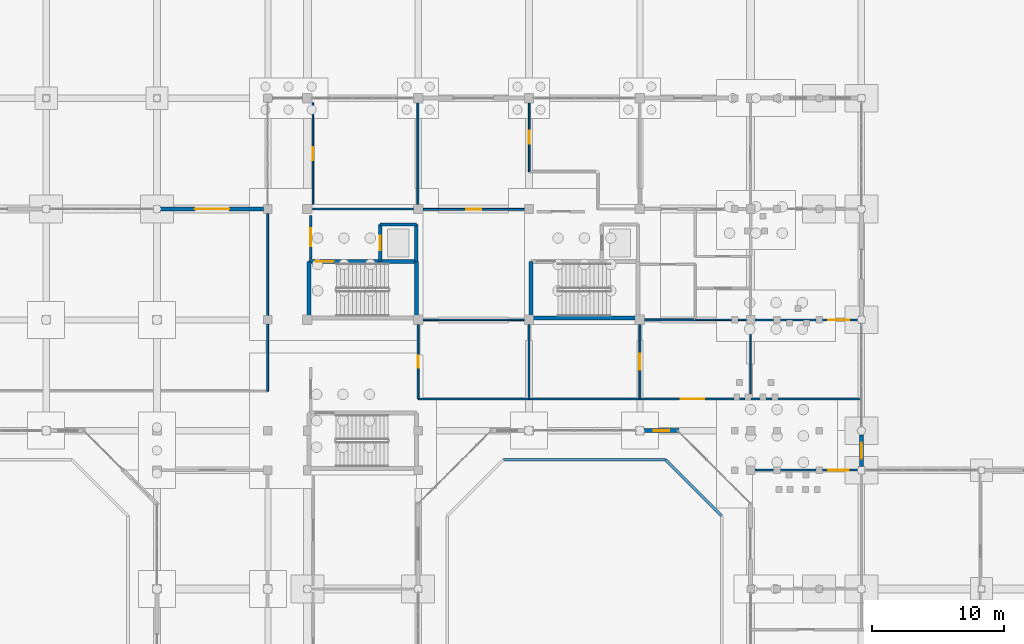
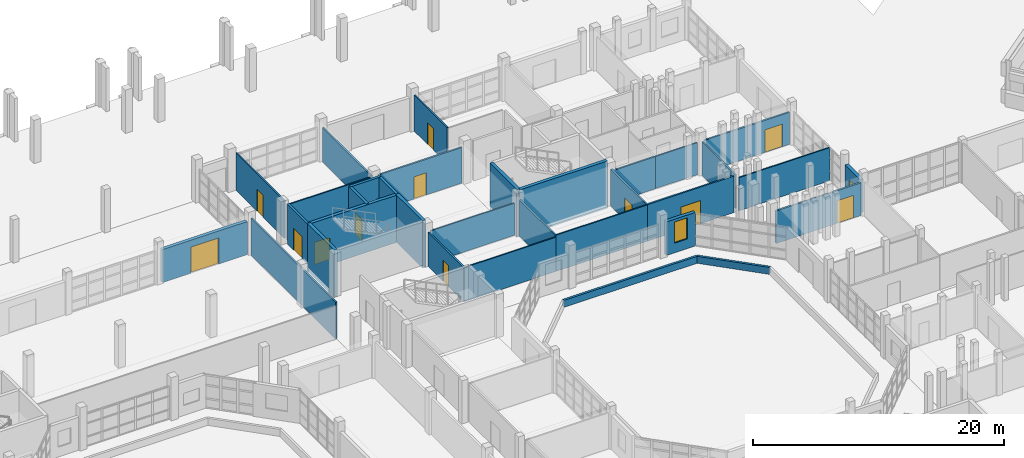
# One storey, part 63 of 88: 33 walls, 12 doors, 2 windows, 14 openings.
"""IFC4 building model written with IfcOpenShell, lengths in metres."""

import ifcopenshell
import ifcopenshell.guid

model = None  # the IFC model being written
_history = None  # IfcOwnerHistory: only IFC2X3 demands one
_inside = {}  # id of a spatial element -> (the spatial element, [elements in it])
_under = {}  # id of a project, library or spatial element -> (it, [spatial elements below it])
_declared = {}  # id of a project -> (the project, [libraries it declares])
_typed = {}  # id of a type object -> (the type object, [elements of that type])
_made_of = {}  # id of a material, layer set ... -> (it, [elements and type objects made of it])


def new_model(schema):
    """Start an empty IFC model of exactly this schema.

    Asked for "IFC4X3", IfcOpenShell would pick the latest addendum, in which some entities
    have other attributes; the version numbers below select the first issue.
    IFC2X3 requires an IfcOwnerHistory on every rooted entity: one is made here for all.
    """
    global model, _history
    if schema == "IFC4X3":
        model = ifcopenshell.file(schema_version=(4, 3, 0, 0))
    else:
        model = ifcopenshell.file(schema=schema)
    _inside.clear()
    _under.clear()
    _declared.clear()
    _typed.clear()
    _made_of.clear()
    _history = None
    if model.schema == "IFC2X3":
        org = make("IfcOrganization", Name="unknown")
        user = make(
            "IfcPersonAndOrganization",
            ThePerson=make("IfcPerson", FamilyName="unknown"),
            TheOrganization=org,
        )
        app = make(
            "IfcApplication",
            ApplicationDeveloper=org,
            Version="unknown",
            ApplicationFullName="unknown",
            ApplicationIdentifier="unknown",
        )
        _history = make(
            "IfcOwnerHistory",
            OwningUser=user,
            OwningApplication=app,
            ChangeAction="ADDED",
            CreationDate=0,
        )
    return model


def make(cls, **values):
    """One entity of the class cls with the attributes given. An attribute that is None is left unset."""
    return model.create_entity(
        cls, **{name: value for name, value in values.items() if value is not None}
    )


def rooted(cls, **values):
    """An entity with a GlobalId (a new one), such as an element, a storey or a relation."""
    return make(cls, GlobalId=ifcopenshell.guid.new(), OwnerHistory=_history, **values)


def si_unit(unit_type, name, prefix=None):
    """IfcSIUnit, for example si_unit("LENGTHUNIT", "METRE", prefix="MILLI")."""
    return make("IfcSIUnit", UnitType=unit_type, Prefix=prefix, Name=name)


def assignment(units):
    """IfcUnitAssignment: the units of a project."""
    return None if units is None else make("IfcUnitAssignment", Units=units)


def point(xyz):
    """IfcCartesianPoint."""
    return None if xyz is None else make("IfcCartesianPoint", Coordinates=xyz)


def direction(xyz):
    """IfcDirection."""
    return None if xyz is None else make("IfcDirection", DirectionRatios=xyz)


def frame(location, z_axis=None, x_axis=None):
    """IfcAxis2Placement3D, a coordinate frame: its origin and axes. An axis left out is left unset."""
    return make(
        "IfcAxis2Placement3D",
        Location=point(location),
        Axis=direction(z_axis),
        RefDirection=direction(x_axis),
    )


def frame_2d(location, x_axis=None):
    """IfcAxis2Placement2D, a coordinate frame in the plane: its origin and x axis."""
    return make(
        "IfcAxis2Placement2D", Location=point(location), RefDirection=direction(x_axis)
    )


def origin():
    """The frame at (0, 0, 0) with its axes left unset."""
    return frame((0.0, 0.0, 0.0))


def place(relative_to, where):
    """IfcLocalPlacement: puts the frame where relative to a parent placement (None: the world)."""
    return make(
        "IfcLocalPlacement", PlacementRelTo=relative_to, RelativePlacement=where
    )


def context(
    kind, dimensions, precision=None, world=None, true_north=None, identifier=None
):
    """IfcGeometricRepresentationContext, for example the 3D "Model" context."""
    return make(
        "IfcGeometricRepresentationContext",
        ContextIdentifier=identifier,
        ContextType=kind,
        CoordinateSpaceDimension=dimensions,
        Precision=precision,
        WorldCoordinateSystem=world,
        TrueNorth=true_north,
    )


def subcontext(parent, identifier, kind, view, scale=None):
    """IfcGeometricRepresentationSubContext, for example "Body" below "Model"."""
    return make(
        "IfcGeometricRepresentationSubContext",
        ContextIdentifier=identifier,
        ContextType=kind,
        ParentContext=parent,
        TargetScale=scale,
        TargetView=view,
    )


def project(units=None, contexts=None):
    """IfcProject with its units and contexts."""
    return rooted(
        "IfcProject",
        Name="project",
        RepresentationContexts=contexts,
        UnitsInContext=assignment(units),
    )


def spatial(cls, under=None, at=None, **own):
    """A site, building, storey or space (cls), placed at a placement, below another one or the project."""
    s = rooted(cls, ObjectPlacement=at, **own)
    if under is not None:
        _under.setdefault(under.id(), (under, []))[1].append(s)
    return s


def profile(cls, at=None, kind="AREA", **sizes):
    """A parametric profile (cls). Its sizes go by their IFC names, for example OverallWidth=200.0."""
    return make(cls, ProfileType=kind, Position=at, **sizes)


def rectangle(**sizes):
    """IfcRectangleProfileDef."""
    return profile("IfcRectangleProfileDef", **sizes)


def extrude(swept, where, along, depth):
    """IfcExtrudedAreaSolid: the profile swept, set in the frame where, extruded along a direction by depth."""
    return make(
        "IfcExtrudedAreaSolid",
        SweptArea=swept,
        Position=where,
        ExtrudedDirection=direction(along),
        Depth=depth,
    )


def shape(context_of_items, identifier, shape_type, items):
    """IfcShapeRepresentation: the items that make up one representation, for example the "Body"."""
    return make(
        "IfcShapeRepresentation",
        ContextOfItems=context_of_items,
        RepresentationIdentifier=identifier,
        RepresentationType=shape_type,
        Items=items,
    )


def material(Name=None, Category=None):
    """IfcMaterial."""
    return make("IfcMaterial", Name=Name, Category=Category)


def layer(
    of_material, thickness, ventilated=None, Name=None, Category=None, Priority=None
):
    """IfcMaterialLayer: one layer of a wall or slab, of a material (None: an air gap)."""
    return make(
        "IfcMaterialLayer",
        Material=of_material,
        LayerThickness=thickness,
        IsVentilated=ventilated,
        Name=Name,
        Category=Category,
        Priority=Priority,
    )


def layer_set(layers, Name=None):
    """IfcMaterialLayerSet."""
    return make("IfcMaterialLayerSet", MaterialLayers=layers, LayerSetName=Name)


def made_of(thing, what):
    """Note that an element or type object is made of a material, layer set ...; save() writes the relation."""
    if what is not None:
        _made_of.setdefault(what.id(), (what, []))[1].append(thing)
    return thing


def type_object(cls, material=None, **own):
    """A type object (cls), such as IfcWallType, which elements share."""
    return made_of(rooted(cls, **own), material)


def element(
    cls,
    number,
    at=None,
    inside=None,
    cuts=None,
    type_object=None,
    material=None,
    context=None,
    identifier="Body",
    shape_type=None,
    held_by="IfcProductDefinitionShape",
    body=None,
    shapes=None,
    **own,
):
    """One element of the class cls, such as IfcWall. Its Tag is "e" and its number.

    at: its placement. inside: the storey or other place that contains it. cuts: it is an
    opening in that element (IfcRelVoidsElement). A single representation is given by context,
    identifier, shape_type and body (its items); several are given by shapes. held_by: the class
    of the entity that holds the representations. save() writes the other relations.
    """
    e = rooted(cls, Tag="e%d" % number, ObjectPlacement=at, **own)
    if body is not None:
        shapes = [shape(context, identifier, shape_type, body)]
    if shapes is not None:
        e.Representation = make(held_by, Representations=shapes)
    if inside is not None:
        _inside.setdefault(inside.id(), (inside, []))[1].append(e)
    if cuts is not None:
        rooted(
            "IfcRelVoidsElement", RelatingBuildingElement=cuts, RelatedOpeningElement=e
        )
    if type_object is not None:
        _typed.setdefault(type_object.id(), (type_object, []))[1].append(e)
    return made_of(e, material)


def fill(opening, filler):
    """IfcRelFillsElement: the door or window that sits in an opening."""
    return rooted(
        "IfcRelFillsElement",
        RelatingOpeningElement=opening,
        RelatedBuildingElement=filler,
    )


def aggregate(whole, parts):
    """IfcRelAggregates: a whole, such as a stair, and the parts it consists of."""
    return rooted("IfcRelAggregates", RelatingObject=whole, RelatedObjects=parts)


def save(model, path):
    """Write the relations noted so far, then the file.

    IfcRelAggregates (storeys below a building ...), IfcRelContainedInSpatialStructure (elements
    in a storey), IfcRelDefinesByType, IfcRelAssociatesMaterial and IfcRelDeclares: one each for
    every whole, place, type object, material and project.
    """
    for whole, parts in _under.values():
        aggregate(whole, parts)
    for where, things in _inside.values():
        rooted(
            "IfcRelContainedInSpatialStructure",
            RelatedElements=things,
            RelatingStructure=where,
        )
    for kind, things in _typed.values():
        rooted("IfcRelDefinesByType", RelatedObjects=things, RelatingType=kind)
    for what, things in _made_of.values():
        rooted("IfcRelAssociatesMaterial", RelatedObjects=things, RelatingMaterial=what)
    for by, libraries in _declared.values():
        rooted("IfcRelDeclares", RelatingContext=by, RelatedDefinitions=libraries)
    model.write(path)


model = new_model("IFC4")

# Units and contexts
model_context = context("Model", 3, precision=1e-05, world=origin(), true_north=direction((0.0, 1.0)))
body_context = subcontext(model_context, "Body", "Model", "MODEL_VIEW")
ifc_project = project(units=[si_unit("LENGTHUNIT", "METRE"), si_unit("AREAUNIT", "SQUARE_METRE"), si_unit("VOLUMEUNIT", "CUBIC_METRE"), si_unit("PLANEANGLEUNIT", "RADIAN"), si_unit("MASSUNIT", "GRAM", prefix="KILO")], contexts=[model_context])

# Site, building, storey
site_placement = place(None, origin())
site = spatial("IfcSite", under=ifc_project, at=site_placement, CompositionType="ELEMENT")
building_placement = place(site_placement, origin())
building = spatial("IfcBuilding", under=site, at=building_placement, Name="Vanh Quang Courtyard School", CompositionType="ELEMENT")
storey_placement = place(building_placement, origin())
storey = spatial("IfcBuildingStorey", under=building, at=storey_placement, Name="L00", CompositionType="ELEMENT", Elevation=0.0)

# Wall, opening, door
ifc_material_1 = material(Name="Concrete C30/37", Category="concrete")
ifc_layer_1 = layer(ifc_material_1, 0.199951171875)
ifc_layer_set_1 = layer_set([ifc_layer_1], Name="Concrete C30/37")
wall_type_1 = type_object("IfcWallType", Name="W-COMP-200", PredefinedType="PARTITIONING", material=ifc_layer_set_1)
wall_1_placement = place(storey_placement, frame((77.659912109375, 87.719970703125, 0.0), z_axis=(0.0, 0.0, 1.0), x_axis=(0.0, -1.0, 0.0)))
wall_1 = element("IfcWall", 1, at=wall_1_placement, inside=storey, type_object=wall_type_1, Name="Wall W-COMP1 (L00)", PredefinedType="PARTITIONING", context=body_context, shape_type="SweptSolid", body=[
    extrude(rectangle(XDim=3.300048828125, YDim=0.199951171875, at=frame_2d((1.64990234375, 0.0))), origin(), (0.0, 0.0, 1.0), 3.919921875),
])
opening_1_placement = place(wall_1_placement, frame((0.97509765625, 0.0, 0.0)))
opening_1 = element("IfcOpeningElement", 2, at=opening_1_placement, cuts=wall_1, Name="Opening L00-DLB1", PredefinedType="OPENING", context=body_context, shape_type="SweptSolid", body=[
    extrude(rectangle(XDim=1.35009765625, YDim=2.14990234375, at=frame_2d((0.675048828125, 1.074951171875))), frame((0.0, 0.10986328125, 0.0), z_axis=(0.0, -1.0, 0.0), x_axis=(1.0, 0.0, 0.0)), (0.0, 0.0, 1.0), 0.219970703125),
])
ifc_material_2 = material(Name="Painted galvanised steel fire door", Category="steel")
door_type_1 = type_object("IfcDoorType", Name="IDR-ST-1350x2150", OperationType="NOTDEFINED", PredefinedType="DOOR", material=ifc_material_2)
door_1_placement = place(opening_1_placement, origin())
door_1 = element("IfcDoor", 3, at=door_1_placement, inside=storey, type_object=door_type_1, Name="Door L00-DLB1 (L00)", OperationType="SINGLE_SWING_LEFT", OverallHeight=2.14990234375, OverallWidth=1.35009765625, PredefinedType="DOOR", context=body_context, shape_type="SweptSolid", body=[
    extrude(rectangle(XDim=1.35009765625, YDim=2.14990234375, at=frame_2d((0.675048828125, 1.074951171875))), frame((0.0, 0.02490234375, 0.0), z_axis=(0.0, -1.0, 0.0), x_axis=(1.0, 0.0, 0.0)), (0.0, 0.0, 1.0), 0.050048828125),
])
fill(opening_1, door_1)

# Wall
ifc_material_3 = material(Name="Concrete C35/45", Category="concrete")
ifc_layer_2 = layer(ifc_material_3, 0.300048828125)
ifc_layer_set_2 = layer_set([ifc_layer_2], Name="Concrete C35/45")
wall_type_2 = type_object("IfcWallType", Name="W-CORE-300", PredefinedType="SHEAR", material=ifc_layer_set_2)
wall_2_placement = place(storey_placement, frame((85.659912109375, 79.93994140625, -0.39990234375), z_axis=(0.0, 0.0, 1.0), x_axis=(0.0, 1.0, 0.0)))
element("IfcWall", 4, at=wall_2_placement, inside=storey, type_object=wall_type_2, Name="Wall W-CORE1 (L00)", PredefinedType="SHEAR", context=body_context, shape_type="SweptSolid", body=[
    extrude(rectangle(XDim=4.280029296875, YDim=0.300048828125, at=frame_2d((2.14013671875, 0.0))), origin(), (0.0, 0.0, 1.0), 4.599853515625),
])

# Wall, opening, door
wall_3_placement = place(storey_placement, frame((85.659912109375, 84.219970703125, -0.39990234375), z_axis=(0.0, 0.0, 1.0), x_axis=(-1.0, 0.0, 0.0)))
wall_3 = element("IfcWall", 5, at=wall_3_placement, inside=storey, type_object=wall_type_2, Name="Wall W-CORE1 (L00)", PredefinedType="SHEAR", context=body_context, shape_type="SweptSolid", body=[
    extrude(rectangle(XDim=8.119873046875, YDim=0.300048828125, at=frame_2d((4.06005859375, 0.0))), origin(), (0.0, 0.0, 1.0), 4.599853515625),
])
opening_2_placement = place(wall_3_placement, frame((6.27001953125, 0.0, 0.39990234375)))
opening_2 = element("IfcOpeningElement", 6, at=opening_2_placement, cuts=wall_3, Name="Opening L00-DS1", PredefinedType="OPENING", context=body_context, shape_type="SweptSolid", body=[
    extrude(rectangle(XDim=1.35009765625, YDim=2.14990234375, at=frame_2d((0.675048828125, 1.074951171875))), frame((0.0, 0.16015625, 0.0), z_axis=(0.0, -1.0, 0.0), x_axis=(1.0, 0.0, 0.0)), (0.0, 0.0, 1.0), 0.320068359375),
])
door_2_placement = place(opening_2_placement, origin())
door_2 = element("IfcDoor", 7, at=door_2_placement, inside=storey, type_object=door_type_1, Name="Door L00-DS1 (L00)", OperationType="SINGLE_SWING_RIGHT", OverallHeight=2.14990234375, OverallWidth=1.35009765625, PredefinedType="DOOR", context=body_context, shape_type="SweptSolid", body=[
    extrude(rectangle(XDim=1.35009765625, YDim=2.14990234375, at=frame_2d((0.675048828125, 1.074951171875))), frame((0.0, 0.02490234375, 0.0), z_axis=(0.0, -1.0, 0.0), x_axis=(1.0, 0.0, 0.0)), (0.0, 0.0, 1.0), 0.050048828125),
])
fill(opening_2, door_2)

# Walls
wall_4_placement = place(storey_placement, frame((77.5400390625, 84.219970703125, -0.39990234375), z_axis=(0.0, 0.0, 1.0), x_axis=(0.0, -1.0, 0.0)))
element("IfcWall", 8, at=wall_4_placement, inside=storey, type_object=wall_type_2, Name="Wall W-CORE1 (L00)", PredefinedType="SHEAR", context=body_context, shape_type="SweptSolid", body=[
    extrude(rectangle(XDim=4.280029296875, YDim=0.300048828125, at=frame_2d((2.14013671875, 0.0))), origin(), (0.0, 0.0, 1.0), 4.599853515625),
])
wall_5_placement = place(storey_placement, frame((94.340087890625, 79.93994140625, -0.39990234375), z_axis=(0.0, 0.0, 1.0), x_axis=(1.0, 0.0, 0.0)))
element("IfcWall", 9, at=wall_5_placement, inside=storey, type_object=wall_type_2, Name="Wall W-CORE1 (L00)", PredefinedType="SHEAR", context=body_context, shape_type="SweptSolid", body=[
    extrude(rectangle(XDim=8.119873046875, YDim=0.300048828125, at=frame_2d((4.06005859375, 0.0))), origin(), (0.0, 0.0, 1.0), 4.599853515625),
])
wall_6_placement = place(storey_placement, frame((94.340087890625, 84.219970703125, -0.39990234375), z_axis=(0.0, 0.0, 1.0), x_axis=(0.0, -1.0, 0.0)))
element("IfcWall", 10, at=wall_6_placement, inside=storey, type_object=wall_type_2, Name="Wall W-CORE1 (L00)", PredefinedType="SHEAR", context=body_context, shape_type="SweptSolid", body=[
    extrude(rectangle(XDim=4.280029296875, YDim=0.300048828125, at=frame_2d((2.14013671875, 0.0))), origin(), (0.0, 0.0, 1.0), 4.599853515625),
])

# Wall, opening, door
ifc_layer_3 = layer(ifc_material_3, 0.300048828125)
ifc_layer_set_3 = layer_set([ifc_layer_3], Name="Concrete C35/45")
wall_type_3 = type_object("IfcWallType", Name="W-EXT-300", PredefinedType="SOLIDWALL", material=ifc_layer_set_3)
wall_7_placement = place(storey_placement, frame((66.27294921875, 88.199951171875, 0.0), z_axis=(0.0, 0.0, 1.0), x_axis=(1.0, 0.0, 0.0)))
wall_7 = element("IfcWall", 11, at=wall_7_placement, inside=storey, type_object=wall_type_3, Name="Wall WE-01 (L00)", PredefinedType="SOLIDWALL", context=body_context, shape_type="SweptSolid", body=[
    extrude(rectangle(XDim=7.803955078125, YDim=0.300048828125, at=frame_2d((3.90185546875, 0.0))), origin(), (0.0, 0.0, 1.0), 3.219970703125),
])
opening_3_placement = place(wall_7_placement, frame((2.60205078125, 0.0, 0.0)))
opening_3 = element("IfcOpeningElement", 12, at=opening_3_placement, cuts=wall_7, Name="Opening L00-EX19", PredefinedType="OPENING", context=body_context, shape_type="SweptSolid", body=[
    extrude(rectangle(XDim=2.60009765625, YDim=2.550048828125, at=frame_2d((1.300048828125, 1.27490234375))), frame((0.0, 0.16015625, 0.0), z_axis=(0.0, -1.0, 0.0), x_axis=(1.0, 0.0, 0.0)), (0.0, 0.0, 1.0), 0.320068359375),
])
ifc_material_4 = material(Name="Thermally broken aluminium and laminated safety glass", Category="aluminium")
door_type_2 = type_object("IfcDoorType", Name="EDR-TYP-16", OperationType="NOTDEFINED", PredefinedType="DOOR", material=ifc_material_4)
door_3_placement = place(opening_3_placement, origin())
door_3 = element("IfcDoor", 13, at=door_3_placement, inside=storey, type_object=door_type_2, Name="Door L00-EX19 (L00)", OperationType="DOUBLE_DOOR_SINGLE_SWING", OverallHeight=2.550048828125, OverallWidth=2.60009765625, PredefinedType="DOOR", context=body_context, shape_type="SweptSolid", body=[
    extrude(rectangle(XDim=2.60009765625, YDim=2.550048828125, at=frame_2d((1.300048828125, 1.27490234375))), frame((0.0, 0.02490234375, 0.0), z_axis=(0.0, -1.0, 0.0), x_axis=(1.0, 0.0, 0.0)), (0.0, 0.0, 1.0), 0.050048828125),
])
fill(opening_3, door_3)

# Wall, opening, window
wall_8_placement = place(storey_placement, frame((119.39990234375, 71.076904296875, 0.0), z_axis=(0.0, 0.0, 1.0), x_axis=(0.0, -1.0, 0.0)))
wall_8 = element("IfcWall", 14, at=wall_8_placement, inside=storey, type_object=wall_type_3, Name="Wall WE-01 (L00)", PredefinedType="SOLIDWALL", context=body_context, shape_type="SweptSolid", body=[
    extrude(rectangle(XDim=2.40380859375, YDim=0.300048828125, at=frame_2d((1.201904296875, 0.0))), origin(), (0.0, 0.0, 1.0), 3.219970703125),
])
opening_4_placement = place(wall_8_placement, frame((0.60205078125, 0.0, 0.949951171875)))
opening_4 = element("IfcOpeningElement", 15, at=opening_4_placement, cuts=wall_8, Name="Opening WN-01", PredefinedType="OPENING", context=body_context, shape_type="SweptSolid", body=[
    extrude(rectangle(XDim=1.199951171875, YDim=1.199951171875, at=frame_2d((0.60009765625, 0.60009765625))), frame((0.0, 0.16015625, 0.0), z_axis=(0.0, -1.0, 0.0), x_axis=(1.0, 0.0, 0.0)), (0.0, 0.0, 1.0), 0.320068359375),
])
ifc_material_5 = material(Name="Anodised aluminium and low-E double glazing", Category="aluminium")
window_type_1 = type_object("IfcWindowType", Name="WIN-TYP-01", PartitioningType="SINGLE_PANEL", PredefinedType="WINDOW", material=ifc_material_5)
window_1_placement = place(opening_4_placement, origin())
window_1 = element("IfcWindow", 16, at=window_1_placement, inside=storey, type_object=window_type_1, Name="Window WN-01 (L00)", OverallHeight=1.199951171875, OverallWidth=1.199951171875, PartitioningType="SINGLE_PANEL", PredefinedType="WINDOW", context=body_context, shape_type="SweptSolid", body=[
    extrude(rectangle(XDim=1.199951171875, YDim=1.199951171875, at=frame_2d((0.60009765625, 0.60009765625))), frame((0.0, 0.030029296875, 0.0), z_axis=(0.0, -1.0, 0.0), x_axis=(1.0, 0.0, 0.0)), (0.0, 0.0, 1.0), 0.06005859375),
])
fill(opening_4, window_1)

wall_9_placement = place(storey_placement, frame((105.575927734375, 71.39990234375, 0.0), z_axis=(0.0, 0.0, 1.0), x_axis=(-1.0, 0.0, 0.0)))
wall_9 = element("IfcWall", 17, at=wall_9_placement, inside=storey, type_object=wall_type_3, Name="Wall WE-01 (L00)", PredefinedType="SOLIDWALL", context=body_context, shape_type="SweptSolid", body=[
    extrude(rectangle(XDim=2.65283203125, YDim=0.300048828125, at=frame_2d((1.326416015625, 0.0))), origin(), (0.0, 0.0, 1.0), 3.27001953125),
])
opening_5_placement = place(wall_9_placement, frame((0.7265625, 0.0, 0.949951171875)))
opening_5 = element("IfcOpeningElement", 18, at=opening_5_placement, cuts=wall_9, Name="Opening WN-28", PredefinedType="OPENING", context=body_context, shape_type="SweptSolid", body=[
    extrude(rectangle(XDim=1.199951171875, YDim=2.050048828125, at=frame_2d((0.60009765625, 1.02490234375))), frame((0.0, 0.16015625, 0.0), z_axis=(0.0, -1.0, 0.0), x_axis=(1.0, 0.0, 0.0)), (0.0, 0.0, 1.0), 0.320068359375),
])
window_type_2 = type_object("IfcWindowType", Name="WIN-TYP-28", PartitioningType="SINGLE_PANEL", PredefinedType="WINDOW", material=ifc_material_5)
window_2_placement = place(opening_5_placement, origin())
window_2 = element("IfcWindow", 19, at=window_2_placement, inside=storey, type_object=window_type_2, Name="Window WN-28 (L00)", OverallHeight=2.050048828125, OverallWidth=1.199951171875, PartitioningType="SINGLE_PANEL", PredefinedType="WINDOW", context=body_context, shape_type="SweptSolid", body=[
    extrude(rectangle(XDim=1.199951171875, YDim=2.050048828125, at=frame_2d((0.60009765625, 1.02490234375))), frame((0.0, 0.030029296875, 0.0), z_axis=(0.0, -1.0, 0.0), x_axis=(1.0, 0.0, 0.0)), (0.0, 0.0, 1.0), 0.06005859375),
])
fill(opening_5, window_2)

# Walls
ifc_layer_4 = layer(ifc_material_3, 0.199951171875)
ifc_layer_set_4 = layer_set([ifc_layer_4], Name="Concrete C35/45")
wall_type_4 = type_object("IfcWallType", Name="W-PAR-200", PredefinedType="PARAPET", material=ifc_layer_set_4)
wall_10_placement = place(storey_placement, frame((92.25537109375, 69.199951171875, 0.0), z_axis=(0.0, 0.0, 1.0), x_axis=(1.0, 0.0, 0.0)))
element("IfcWall", 20, at=wall_10_placement, inside=storey, type_object=wall_type_4, Name="Wall WP-01 (L00)", PredefinedType="PARAPET", context=body_context, shape_type="SweptSolid", body=[
    extrude(rectangle(XDim=12.289306640625, YDim=0.199951171875, at=frame_2d((6.14453125, 0.0))), origin(), (0.0, 0.0, 1.0), 0.679931640625),
])
wall_11_placement = place(storey_placement, frame((104.544677734375, 69.199951171875, 0.0), z_axis=(0.0, 0.0, 1.0), x_axis=(0.707106781187, -0.707106781187, 0.0)))
element("IfcWall", 21, at=wall_11_placement, inside=storey, type_object=wall_type_4, Name="Wall WP-01 (L00)", PredefinedType="PARAPET", context=body_context, shape_type="SweptSolid", body=[
    extrude(rectangle(XDim=6.01806640625, YDim=0.199951171875, at=frame_2d((3.009033203125, 0.0))), origin(), (0.0, 0.0, 1.0), 0.679931640625),
])
ifc_material_6 = material(Name="Acoustic gypsum stud partition", Category="gypsum")
ifc_layer_5 = layer(ifc_material_6, 0.1201171875)
ifc_layer_set_5 = layer_set([ifc_layer_5], Name="Acoustic gypsum stud partition")
wall_type_5 = type_object("IfcWallType", Name="W-PART-120", PredefinedType="PARTITIONING", material=ifc_layer_set_5)
wall_12_placement = place(storey_placement, frame((110.677001953125, 79.800048828125, 0.0), z_axis=(0.0, 0.0, 1.0), x_axis=(-1.0, 0.0, 0.0)))
element("IfcWall", 22, at=wall_12_placement, inside=storey, type_object=wall_type_5, Name="Wall W-PRT2 (L00)", PredefinedType="PARTITIONING", context=body_context, shape_type="SweptSolid", body=[
    extrude(rectangle(XDim=3.85693359375, YDim=0.1201171875, at=frame_2d((1.928466796875, 0.0))), origin(), (0.0, 0.0, 1.0), 3.1201171875),
])

# Wall, opening, door
wall_13_placement = place(storey_placement, frame((77.820068359375, 88.548095703125, 0.0), z_axis=(0.0, 0.0, 1.0), x_axis=(0.0, 1.0, 0.0)))
wall_13 = element("IfcWall", 23, at=wall_13_placement, inside=storey, type_object=wall_type_5, Name="Wall W-PRT2 (L00)", PredefinedType="PARTITIONING", context=body_context, shape_type="SweptSolid", body=[
    extrude(rectangle(XDim=7.703857421875, YDim=0.1201171875, at=frame_2d((3.85205078125, 0.0))), origin(), (0.0, 0.0, 1.0), 3.64990234375),
])
opening_6_placement = place(wall_13_placement, frame((3.362060546875, 0.0, 0.0)))
opening_6 = element("IfcOpeningElement", 24, at=opening_6_placement, cuts=wall_13, Name="Opening L00-D027", PredefinedType="OPENING", context=body_context, shape_type="SweptSolid", body=[
    extrude(rectangle(XDim=0.97998046875, YDim=2.1201171875, at=frame_2d((0.489990234375, 1.06005859375))), frame((0.0, 0.070068359375, 0.0), z_axis=(0.0, -1.0, 0.0), x_axis=(1.0, 0.0, 0.0)), (0.0, 0.0, 1.0), 0.14013671875),
])
ifc_material_7 = material(Name="Solid-core hardwood acoustic door", Category="wood")
door_type_3 = type_object("IfcDoorType", Name="IDR-CLS-1050x2100", OperationType="NOTDEFINED", PredefinedType="DOOR", material=ifc_material_7)
door_4_placement = place(opening_6_placement, origin())
door_4 = element("IfcDoor", 25, at=door_4_placement, inside=storey, type_object=door_type_3, Name="Door L00-D027 (L00)", OperationType="SINGLE_SWING_RIGHT", OverallHeight=2.1201171875, OverallWidth=0.97998046875, PredefinedType="DOOR", context=body_context, shape_type="SweptSolid", body=[
    extrude(rectangle(XDim=0.97998046875, YDim=2.1201171875, at=frame_2d((0.489990234375, 1.06005859375))), frame((0.0, 0.02490234375, 0.0), z_axis=(0.0, -1.0, 0.0), x_axis=(1.0, 0.0, 0.0)), (0.0, 0.0, 1.0), 0.050048828125),
])
fill(opening_6, door_4)

# Walls
wall_14_placement = place(storey_placement, frame((85.451904296875, 88.199951171875, 0.0), z_axis=(0.0, 0.0, 1.0), x_axis=(-1.0, 0.0, 0.0)))
element("IfcWall", 26, at=wall_14_placement, inside=storey, type_object=wall_type_5, Name="Wall W-PRT2 (L00)", PredefinedType="PARTITIONING", context=body_context, shape_type="SweptSolid", body=[
    extrude(rectangle(XDim=7.6318359375, YDim=0.1201171875, at=frame_2d((3.81591796875, 0.0))), origin(), (0.0, 0.0, 1.0), 3.469970703125),
])
wall_15_placement = place(storey_placement, frame((86.14794921875, 79.800048828125, 0.0), z_axis=(0.0, 0.0, 1.0), x_axis=(1.0, 0.0, 0.0)))
element("IfcWall", 27, at=wall_15_placement, inside=storey, type_object=wall_type_5, Name="Wall W-PRT2 (L00)", PredefinedType="PARTITIONING", context=body_context, shape_type="SweptSolid", body=[
    extrude(rectangle(XDim=7.7041015625, YDim=0.1201171875, at=frame_2d((3.85205078125, 0.0))), origin(), (0.0, 0.0, 1.0), 3.1201171875),
])
wall_16_placement = place(storey_placement, frame((94.199951171875, 73.800048828125, 0.0), z_axis=(0.0, 0.0, 1.0), x_axis=(-1.0, 0.0, 0.0)))
element("IfcWall", 28, at=wall_16_placement, inside=storey, type_object=wall_type_5, Name="Wall W-PRT2 (L00)", PredefinedType="PARTITIONING", context=body_context, shape_type="SweptSolid", body=[
    extrude(rectangle(XDim=8.39990234375, YDim=0.1201171875, at=frame_2d((4.199951171875, 0.0))), origin(), (0.0, 0.0, 1.0), 3.320068359375),
])
wall_17_placement = place(storey_placement, frame((102.60009765625, 73.800048828125, 0.0), z_axis=(0.0, 0.0, 1.0), x_axis=(-1.0, 0.0, 0.0)))
element("IfcWall", 29, at=wall_17_placement, inside=storey, type_object=wall_type_5, Name="Wall W-PRT2 (L00)", PredefinedType="PARTITIONING", context=body_context, shape_type="SweptSolid", body=[
    extrude(rectangle(XDim=8.380126953125, YDim=0.1201171875, at=frame_2d((4.18994140625, 0.0))), origin(), (0.0, 0.0, 1.0), 3.52001953125),
])

# Wall, opening, door
wall_18_placement = place(storey_placement, frame((94.219970703125, 91.02001953125, 0.0), z_axis=(0.0, 0.0, 1.0), x_axis=(0.0, 1.0, 0.0)))
wall_18 = element("IfcWall", 30, at=wall_18_placement, inside=storey, type_object=wall_type_5, Name="Wall W-PRT2 (L00)", PredefinedType="PARTITIONING", context=body_context, shape_type="SweptSolid", body=[
    extrude(rectangle(XDim=5.23193359375, YDim=0.1201171875, at=frame_2d((2.615966796875, 0.0))), origin(), (0.0, 0.0, 1.0), 3.52001953125),
])
opening_7_placement = place(wall_18_placement, frame((2.1259765625, 0.0, 0.0)))
opening_7 = element("IfcOpeningElement", 31, at=opening_7_placement, cuts=wall_18, Name="Opening L00-D035", PredefinedType="OPENING", context=body_context, shape_type="SweptSolid", body=[
    extrude(rectangle(XDim=0.97998046875, YDim=2.1201171875, at=frame_2d((0.489990234375, 1.06005859375))), frame((0.0, 0.070068359375, 0.0), z_axis=(0.0, -1.0, 0.0), x_axis=(1.0, 0.0, 0.0)), (0.0, 0.0, 1.0), 0.14013671875),
])
door_5_placement = place(opening_7_placement, origin())
door_5 = element("IfcDoor", 32, at=door_5_placement, inside=storey, type_object=door_type_3, Name="Door L00-D035 (L00)", OperationType="SINGLE_SWING_RIGHT", OverallHeight=2.1201171875, OverallWidth=0.97998046875, PredefinedType="DOOR", context=body_context, shape_type="SweptSolid", body=[
    extrude(rectangle(XDim=0.97998046875, YDim=2.1201171875, at=frame_2d((0.489990234375, 1.06005859375))), frame((0.0, 0.02490234375, 0.0), z_axis=(0.0, -1.0, 0.0), x_axis=(1.0, 0.0, 0.0)), (0.0, 0.0, 1.0), 0.050048828125),
])
fill(opening_7, door_5)

# Walls
wall_19_placement = place(storey_placement, frame((111.0, 79.47705078125, 0.0), z_axis=(0.0, 0.0, 1.0), x_axis=(0.0, -1.0, 0.0)))
element("IfcWall", 33, at=wall_19_placement, inside=storey, type_object=wall_type_5, Name="Wall W-PRT2 (L00)", PredefinedType="PARTITIONING", context=body_context, shape_type="SweptSolid", body=[
    extrude(rectangle(XDim=5.303955078125, YDim=0.1201171875, at=frame_2d((2.65185546875, 0.0))), origin(), (0.0, 0.0, 1.0), 3.27001953125),
])
wall_20_placement = place(storey_placement, frame((119.39990234375, 73.800048828125, 0.0), z_axis=(0.0, 0.0, 1.0), x_axis=(-1.0, 0.0, 0.0)))
element("IfcWall", 34, at=wall_20_placement, inside=storey, type_object=wall_type_5, Name="Wall W-PRT2 (L00)", PredefinedType="PARTITIONING", context=body_context, shape_type="SweptSolid", body=[
    extrude(rectangle(XDim=8.376953125, YDim=0.1201171875, at=frame_2d((4.1884765625, 0.0))), origin(), (0.0, 0.0, 1.0), 3.219970703125),
])
ifc_material_8 = material(Name="Autoclaved aerated masonry blockwork", Category="masonry")
ifc_layer_6 = layer(ifc_material_8, 0.14990234375)
ifc_layer_set_6 = layer_set([ifc_layer_6], Name="Autoclaved aerated masonry blockwork")
wall_type_6 = type_object("IfcWallType", Name="W-PART-150", PredefinedType="PARTITIONING", material=ifc_layer_set_6)
wall_21_placement = place(storey_placement, frame((106.800048828125, 79.800048828125, 0.0), z_axis=(0.0, 0.0, 1.0), x_axis=(-1.0, 0.0, 0.0)))
element("IfcWall", 35, at=wall_21_placement, inside=storey, type_object=wall_type_6, Name="Wall W-PRT1 (L00)", PredefinedType="PARTITIONING", context=body_context, shape_type="SweptSolid", body=[
    extrude(rectangle(XDim=3.85205078125, YDim=0.14990234375, at=frame_2d((1.926025390625, 0.0))), origin(), (0.0, 0.0, 1.0), 3.1201171875),
])
wall_22_placement = place(storey_placement, frame((74.3798828125, 87.876953125, 0.0), z_axis=(0.0, 0.0, 1.0), x_axis=(0.0, -1.0, 0.0)))
element("IfcWall", 36, at=wall_22_placement, inside=storey, type_object=wall_type_6, Name="Wall W-PRT1 (L00)", PredefinedType="PARTITIONING", context=body_context, shape_type="SweptSolid", body=[
    extrude(rectangle(XDim=13.47705078125, YDim=0.14990234375, at=frame_2d((6.738525390625, 0.0))), origin(), (0.0, 0.0, 1.0), 3.56005859375),
])
wall_23_placement = place(storey_placement, frame((85.780029296875, 96.251953125, 0.0), z_axis=(0.0, 0.0, 1.0), x_axis=(0.0, -1.0, 0.0)))
element("IfcWall", 37, at=wall_23_placement, inside=storey, type_object=wall_type_6, Name="Wall W-PRT1 (L00)", PredefinedType="PARTITIONING", context=body_context, shape_type="SweptSolid", body=[
    extrude(rectangle(XDim=7.703857421875, YDim=0.14990234375, at=frame_2d((3.85205078125, 0.0))), origin(), (0.0, 0.0, 1.0), 3.320068359375),
])

# Wall, opening, door
wall_24_placement = place(storey_placement, frame((85.800048828125, 73.800048828125, 0.0), z_axis=(0.0, 0.0, 1.0), x_axis=(0.0, 1.0, 0.0)))
wall_24 = element("IfcWall", 38, at=wall_24_placement, inside=storey, type_object=wall_type_6, Name="Wall W-PRT1 (L00)", PredefinedType="PARTITIONING", context=body_context, shape_type="SweptSolid", body=[
    extrude(rectangle(XDim=5.65185546875, YDim=0.14990234375, at=frame_2d((2.825927734375, 0.0))), origin(), (0.0, 0.0, 1.0), 3.320068359375),
])
opening_8_placement = place(wall_24_placement, frame((2.3759765625, 0.0, 0.0)))
opening_8 = element("IfcOpeningElement", 39, at=opening_8_placement, cuts=wall_24, Name="Opening L00-D030", PredefinedType="OPENING", context=body_context, shape_type="SweptSolid", body=[
    extrude(rectangle(XDim=0.89990234375, YDim=2.050048828125, at=frame_2d((0.449951171875, 1.02490234375))), frame((0.0, 0.0849609375, 0.0), z_axis=(0.0, -1.0, 0.0), x_axis=(1.0, 0.0, 0.0)), (0.0, 0.0, 1.0), 0.169921875),
])
door_type_4 = type_object("IfcDoorType", Name="IDR-RS-0900x2050", OperationType="NOTDEFINED", PredefinedType="DOOR", material=ifc_material_2)
door_6_placement = place(opening_8_placement, origin())
door_6 = element("IfcDoor", 40, at=door_6_placement, inside=storey, type_object=door_type_4, Name="Door L00-D030 (L00)", OperationType="SINGLE_SWING_LEFT", OverallHeight=2.050048828125, OverallWidth=0.89990234375, PredefinedType="DOOR", context=body_context, shape_type="SweptSolid", body=[
    extrude(rectangle(XDim=0.89990234375, YDim=2.050048828125, at=frame_2d((0.449951171875, 1.02490234375))), frame((0.0, 0.02490234375, 0.0), z_axis=(0.0, -1.0, 0.0), x_axis=(1.0, 0.0, 0.0)), (0.0, 0.0, 1.0), 0.050048828125),
])
fill(opening_8, door_6)

# Wall
wall_25_placement = place(storey_placement, frame((94.199951171875, 79.451904296875, 0.0), z_axis=(0.0, 0.0, 1.0), x_axis=(0.0, -1.0, 0.0)))
element("IfcWall", 41, at=wall_25_placement, inside=storey, type_object=wall_type_6, Name="Wall W-PRT1 (L00)", PredefinedType="PARTITIONING", context=body_context, shape_type="SweptSolid", body=[
    extrude(rectangle(XDim=5.65185546875, YDim=0.14990234375, at=frame_2d((2.825927734375, 0.0))), origin(), (0.0, 0.0, 1.0), 3.52001953125),
])

# Wall, opening, door
wall_26_placement = place(storey_placement, frame((86.14794921875, 88.179931640625, 0.0), z_axis=(0.0, 0.0, 1.0), x_axis=(1.0, 0.0, 0.0)))
wall_26 = element("IfcWall", 42, at=wall_26_placement, inside=storey, type_object=wall_type_6, Name="Wall W-PRT1 (L00)", PredefinedType="PARTITIONING", context=body_context, shape_type="SweptSolid", body=[
    extrude(rectangle(XDim=7.7041015625, YDim=0.14990234375, at=frame_2d((3.85205078125, 0.0))), origin(), (0.0, 0.0, 1.0), 3.469970703125),
])
opening_9_placement = place(wall_26_placement, frame((3.277099609375, 0.0, 0.0)))
opening_9 = element("IfcOpeningElement", 43, at=opening_9_placement, cuts=wall_26, Name="Opening L00-D031", PredefinedType="OPENING", context=body_context, shape_type="SweptSolid", body=[
    extrude(rectangle(XDim=1.14990234375, YDim=2.14990234375, at=frame_2d((0.574951171875, 1.074951171875))), frame((0.0, 0.0849609375, 0.0), z_axis=(0.0, -1.0, 0.0), x_axis=(1.0, 0.0, 0.0)), (0.0, 0.0, 1.0), 0.169921875),
])
door_type_5 = type_object("IfcDoorType", Name="IDR-LAB-1150x2150", OperationType="NOTDEFINED", PredefinedType="DOOR", material=ifc_material_2)
door_7_placement = place(opening_9_placement, origin())
door_7 = element("IfcDoor", 44, at=door_7_placement, inside=storey, type_object=door_type_5, Name="Door L00-D031 (L00)", OperationType="SINGLE_SWING_RIGHT", OverallHeight=2.14990234375, OverallWidth=1.14990234375, PredefinedType="DOOR", context=body_context, shape_type="SweptSolid", body=[
    extrude(rectangle(XDim=1.14990234375, YDim=2.14990234375, at=frame_2d((0.574951171875, 1.074951171875))), frame((0.0, 0.02490234375, 0.0), z_axis=(0.0, -1.0, 0.0), x_axis=(1.0, 0.0, 0.0)), (0.0, 0.0, 1.0), 0.050048828125),
])
fill(opening_9, door_7)

wall_27_placement = place(storey_placement, frame((102.60009765625, 79.451904296875, 0.0), z_axis=(0.0, 0.0, 1.0), x_axis=(0.0, -1.0, 0.0)))
wall_27 = element("IfcWall", 45, at=wall_27_placement, inside=storey, type_object=wall_type_6, Name="Wall W-PRT1 (L00)", PredefinedType="PARTITIONING", context=body_context, shape_type="SweptSolid", body=[
    extrude(rectangle(XDim=5.65185546875, YDim=0.14990234375, at=frame_2d((2.825927734375, 0.0))), origin(), (0.0, 0.0, 1.0), 3.56005859375),
])
opening_10_placement = place(wall_27_placement, frame((2.22607421875, 0.0, 0.0)))
opening_10 = element("IfcOpeningElement", 46, at=opening_10_placement, cuts=wall_27, Name="Opening L00-D034", PredefinedType="OPENING", context=body_context, shape_type="SweptSolid", body=[
    extrude(rectangle(XDim=1.199951171875, YDim=2.14990234375, at=frame_2d((0.60009765625, 1.074951171875))), frame((0.0, 0.0849609375, 0.0), z_axis=(0.0, -1.0, 0.0), x_axis=(1.0, 0.0, 0.0)), (0.0, 0.0, 1.0), 0.169921875),
])
door_type_6 = type_object("IfcDoorType", Name="IDR-FD-1200x2150", OperationType="NOTDEFINED", PredefinedType="DOOR", material=ifc_material_2)
door_8_placement = place(opening_10_placement, origin())
door_8 = element("IfcDoor", 47, at=door_8_placement, inside=storey, type_object=door_type_6, Name="Door L00-D034 (L00)", OperationType="SINGLE_SWING_LEFT", OverallHeight=2.14990234375, OverallWidth=1.199951171875, PredefinedType="DOOR", context=body_context, shape_type="SweptSolid", body=[
    extrude(rectangle(XDim=1.199951171875, YDim=2.14990234375, at=frame_2d((0.60009765625, 1.074951171875))), frame((0.0, 0.02490234375, 0.0), z_axis=(0.0, -1.0, 0.0), x_axis=(1.0, 0.0, 0.0)), (0.0, 0.0, 1.0), 0.050048828125),
])
fill(opening_10, door_8)

wall_28_placement = place(storey_placement, frame((110.576904296875, 73.800048828125, 0.0), z_axis=(0.0, 0.0, 1.0), x_axis=(-1.0, 0.0, 0.0)))
wall_28 = element("IfcWall", 48, at=wall_28_placement, inside=storey, type_object=wall_type_6, Name="Wall W-PRT1 (L00)", PredefinedType="PARTITIONING", context=body_context, shape_type="SweptSolid", body=[
    extrude(rectangle(XDim=7.956787109375, YDim=0.14990234375, at=frame_2d((3.978515625, 0.0))), origin(), (0.0, 0.0, 1.0), 3.56005859375),
])
opening_11_placement = place(wall_28_placement, frame((3.07861328125, 0.0, 0.0)))
opening_11 = element("IfcOpeningElement", 49, at=opening_11_placement, cuts=wall_28, Name="Opening L00-D037", PredefinedType="OPENING", context=body_context, shape_type="SweptSolid", body=[
    extrude(rectangle(XDim=1.800048828125, YDim=2.25, at=frame_2d((0.89990234375, 1.125))), frame((0.0, 0.0849609375, 0.0), z_axis=(0.0, -1.0, 0.0), x_axis=(1.0, 0.0, 0.0)), (0.0, 0.0, 1.0), 0.169921875),
])
door_type_7 = type_object("IfcDoorType", Name="IDR-FD-1800x2250", OperationType="NOTDEFINED", PredefinedType="DOOR", material=ifc_material_2)
door_9_placement = place(opening_11_placement, origin())
door_9 = element("IfcDoor", 50, at=door_9_placement, inside=storey, type_object=door_type_7, Name="Door L00-D037 (L00)", OperationType="DOUBLE_DOOR_SINGLE_SWING", OverallHeight=2.25, OverallWidth=1.800048828125, PredefinedType="DOOR", context=body_context, shape_type="SweptSolid", body=[
    extrude(rectangle(XDim=1.800048828125, YDim=2.25, at=frame_2d((0.89990234375, 1.125))), frame((0.0, 0.02490234375, 0.0), z_axis=(0.0, -1.0, 0.0), x_axis=(1.0, 0.0, 0.0)), (0.0, 0.0, 1.0), 0.050048828125),
])
fill(opening_11, door_9)

wall_29_placement = place(storey_placement, frame((111.322998046875, 68.39990234375, 0.0), z_axis=(0.0, 0.0, 1.0), x_axis=(1.0, 0.0, 0.0)))
wall_29 = element("IfcWall", 51, at=wall_29_placement, inside=storey, type_object=wall_type_6, Name="Wall W-PRT1 (L00)", PredefinedType="PARTITIONING", context=body_context, shape_type="SweptSolid", body=[
    extrude(rectangle(XDim=7.803955078125, YDim=0.14990234375, at=frame_2d((3.90185546875, 0.0))), origin(), (0.0, 0.0, 1.0), 3.169921875),
])
opening_12_placement = place(wall_29_placement, frame((5.576904296875, 0.0, 0.0)))
opening_12 = element("IfcOpeningElement", 52, at=opening_12_placement, cuts=wall_29, Name="Opening L00-D045", PredefinedType="OPENING", context=body_context, shape_type="SweptSolid", body=[
    extrude(rectangle(XDim=1.550048828125, YDim=2.199951171875, at=frame_2d((0.77490234375, 1.10009765625))), frame((0.0, 0.0849609375, 0.0), z_axis=(0.0, -1.0, 0.0), x_axis=(1.0, 0.0, 0.0)), (0.0, 0.0, 1.0), 0.169921875),
])
door_type_8 = type_object("IfcDoorType", Name="IDR-KIT-1550x2200", OperationType="NOTDEFINED", PredefinedType="DOOR", material=ifc_material_2)
door_10_placement = place(opening_12_placement, origin())
door_10 = element("IfcDoor", 53, at=door_10_placement, inside=storey, type_object=door_type_8, Name="Door L00-D045 (L00)", OperationType="DOUBLE_DOOR_SINGLE_SWING", OverallHeight=2.199951171875, OverallWidth=1.550048828125, PredefinedType="DOOR", context=body_context, shape_type="SweptSolid", body=[
    extrude(rectangle(XDim=1.550048828125, YDim=2.199951171875, at=frame_2d((0.77490234375, 1.10009765625))), frame((0.0, 0.02490234375, 0.0), z_axis=(0.0, -1.0, 0.0), x_axis=(1.0, 0.0, 0.0)), (0.0, 0.0, 1.0), 0.050048828125),
])
fill(opening_12, door_10)

wall_30_placement = place(storey_placement, frame((111.322998046875, 79.800048828125, 0.0), z_axis=(0.0, 0.0, 1.0), x_axis=(1.0, 0.0, 0.0)))
wall_30 = element("IfcWall", 54, at=wall_30_placement, inside=storey, type_object=wall_type_6, Name="Wall W-PRT1 (L00)", PredefinedType="PARTITIONING", context=body_context, shape_type="SweptSolid", body=[
    extrude(rectangle(XDim=7.803955078125, YDim=0.14990234375, at=frame_2d((3.90185546875, 0.0))), origin(), (0.0, 0.0, 1.0), 3.1201171875),
])
opening_13_placement = place(wall_30_placement, frame((5.552001953125, 0.0, 0.0)))
opening_13 = element("IfcOpeningElement", 55, at=opening_13_placement, cuts=wall_30, Name="Opening L00-D046", PredefinedType="OPENING", context=body_context, shape_type="SweptSolid", body=[
    extrude(rectangle(XDim=1.60009765625, YDim=2.199951171875, at=frame_2d((0.800048828125, 1.10009765625))), frame((0.0, 0.0849609375, 0.0), z_axis=(0.0, -1.0, 0.0), x_axis=(1.0, 0.0, 0.0)), (0.0, 0.0, 1.0), 0.169921875),
])
door_type_9 = type_object("IfcDoorType", Name="IDR-FD-1600x2200", OperationType="NOTDEFINED", PredefinedType="DOOR", material=ifc_material_2)
door_11_placement = place(opening_13_placement, origin())
door_11 = element("IfcDoor", 56, at=door_11_placement, inside=storey, type_object=door_type_9, Name="Door L00-D046 (L00)", OperationType="DOUBLE_DOOR_SINGLE_SWING", OverallHeight=2.199951171875, OverallWidth=1.60009765625, PredefinedType="DOOR", context=body_context, shape_type="SweptSolid", body=[
    extrude(rectangle(XDim=1.60009765625, YDim=2.199951171875, at=frame_2d((0.800048828125, 1.10009765625))), frame((0.0, 0.02490234375, 0.0), z_axis=(0.0, -1.0, 0.0), x_axis=(1.0, 0.0, 0.0)), (0.0, 0.0, 1.0), 0.050048828125),
])
fill(opening_13, door_11)

ifc_layer_7 = layer(ifc_material_3, 0.25)
ifc_layer_set_7 = layer_set([ifc_layer_7], Name="Concrete C35/45")
wall_type_7 = type_object("IfcWallType", Name="W-SHFT-250", PredefinedType="SHEAR", material=ifc_layer_set_7)
wall_31_placement = place(storey_placement, frame((82.919921875, 87.02001953125, -0.39990234375), z_axis=(0.0, 0.0, 1.0), x_axis=(0.0, -1.0, 0.0)))
wall_31 = element("IfcWall", 57, at=wall_31_placement, inside=storey, type_object=wall_type_7, Name="Wall W-SHFT1 (L00)", PredefinedType="SHEAR", context=body_context, shape_type="SweptSolid", body=[
    extrude(rectangle(XDim=2.800048828125, YDim=0.25, at=frame_2d((1.39990234375, 0.0))), origin(), (0.0, 0.0, 1.0), 4.599853515625),
])
opening_14_placement = place(wall_31_placement, frame((0.85009765625, 0.0, 0.39990234375)))
opening_14 = element("IfcOpeningElement", 58, at=opening_14_placement, cuts=wall_31, Name="Opening LD-01-L00", PredefinedType="OPENING", context=body_context, shape_type="SweptSolid", body=[
    extrude(rectangle(XDim=1.10009765625, YDim=2.14990234375, at=frame_2d((0.550048828125, 1.074951171875))), frame((0.0, 0.135009765625, 0.0), z_axis=(0.0, -1.0, 0.0), x_axis=(1.0, 0.0, 0.0)), (0.0, 0.0, 1.0), 0.27001953125),
])
door_type_10 = type_object("IfcDoorType", Name="IDR-LD-1100x2150", OperationType="NOTDEFINED", PredefinedType="DOOR", material=ifc_material_2)
door_12_placement = place(opening_14_placement, origin())
door_12 = element("IfcDoor", 59, at=door_12_placement, inside=storey, type_object=door_type_10, Name="Door LD-01-L00 (L00)", OperationType="DOUBLE_DOOR_SLIDING", OverallHeight=2.14990234375, OverallWidth=1.10009765625, PredefinedType="DOOR", context=body_context, shape_type="SweptSolid", body=[
    extrude(rectangle(XDim=1.10009765625, YDim=2.14990234375, at=frame_2d((0.550048828125, 1.074951171875))), frame((0.0, 0.02490234375, 0.0), z_axis=(0.0, -1.0, 0.0), x_axis=(1.0, 0.0, 0.0)), (0.0, 0.0, 1.0), 0.050048828125),
])
fill(opening_14, door_12)

# Walls
wall_32_placement = place(storey_placement, frame((85.659912109375, 87.02001953125, -0.39990234375), z_axis=(0.0, 0.0, 1.0), x_axis=(-1.0, 0.0, 0.0)))
element("IfcWall", 60, at=wall_32_placement, inside=storey, type_object=wall_type_7, Name="Wall W-SHFT1 (L00)", PredefinedType="SHEAR", context=body_context, shape_type="SweptSolid", body=[
    extrude(rectangle(XDim=2.739990234375, YDim=0.25, at=frame_2d((1.3701171875, 0.0))), origin(), (0.0, 0.0, 1.0), 4.599853515625),
])
wall_33_placement = place(storey_placement, frame((85.659912109375, 84.219970703125, -0.39990234375), z_axis=(0.0, 0.0, 1.0), x_axis=(0.0, 1.0, 0.0)))
element("IfcWall", 61, at=wall_33_placement, inside=storey, type_object=wall_type_7, Name="Wall W-SHFT1 (L00)", PredefinedType="SHEAR", context=body_context, shape_type="SweptSolid", body=[
    extrude(rectangle(XDim=2.800048828125, YDim=0.25, at=frame_2d((1.39990234375, 0.0))), origin(), (0.0, 0.0, 1.0), 4.599853515625),
])

save(model, "model.ifc")
